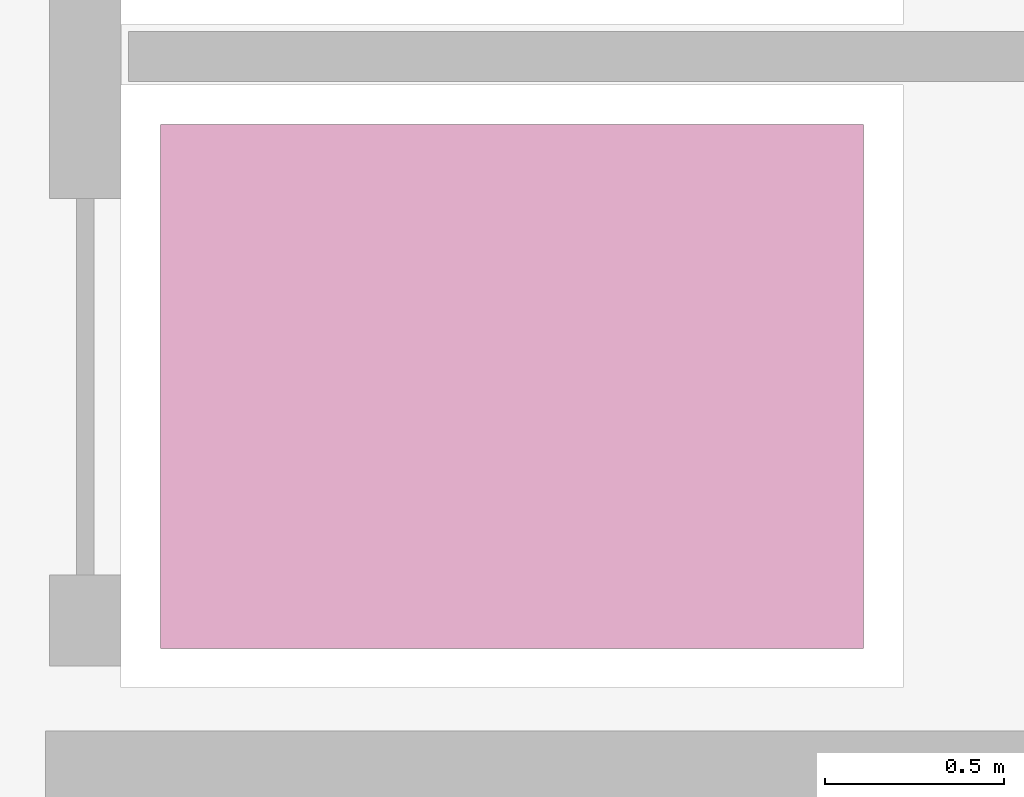
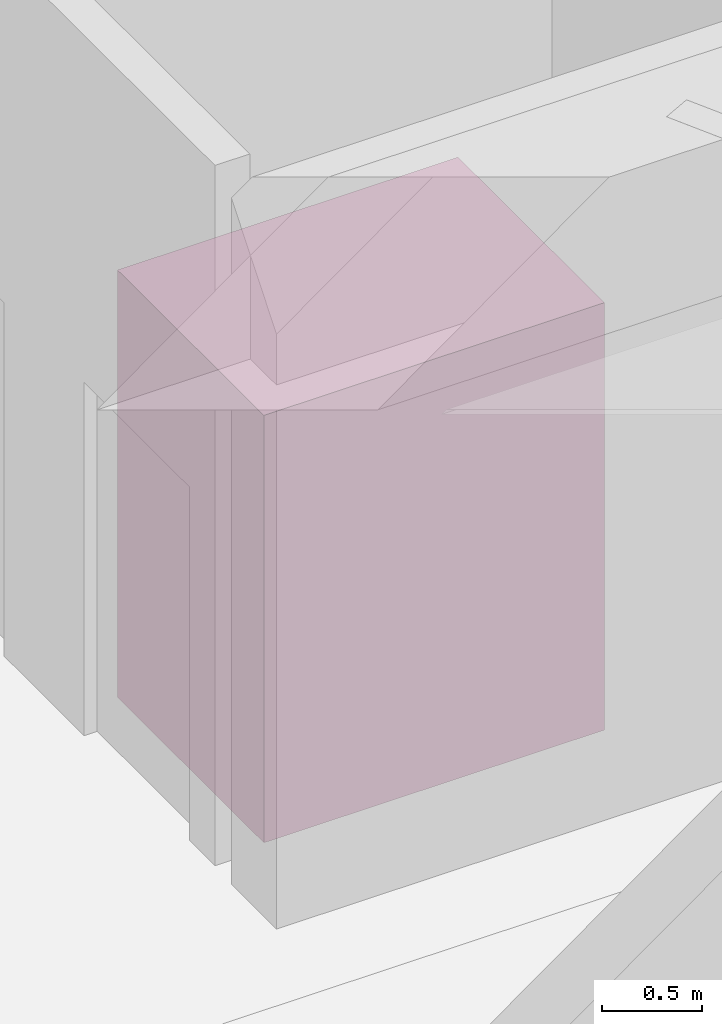
# One storey, part 14 of 14: 1 transport element.
"""IFC4 building model written with IfcOpenShell, lengths in metres."""

from ifc_helpers import new_model, si_unit, direction, frame, origin, origin_2d, place, context, subcontext, project, spatial, rectangle, extrude, material, type_object, element, save


model = new_model("IFC4")

# Units and contexts
model_context = context("Model", 3, precision=1e-05, world=origin(), true_north=direction((0.0, 1.0)))
body_context = subcontext(model_context, "Body", "Model", "MODEL_VIEW")
ifc_project = project(units=[si_unit("LENGTHUNIT", "METRE"), si_unit("AREAUNIT", "SQUARE_METRE"), si_unit("VOLUMEUNIT", "CUBIC_METRE"), si_unit("PLANEANGLEUNIT", "RADIAN"), si_unit("MASSUNIT", "GRAM", prefix="KILO")], contexts=[model_context])

# Site, building, storey
site_placement = place(None, origin())
site = spatial("IfcSite", under=ifc_project, at=site_placement, CompositionType="ELEMENT")
building_placement = place(site_placement, origin())
building = spatial("IfcBuilding", under=site, at=building_placement, Name="Oramaril Tower", CompositionType="ELEMENT")
storey_placement = place(building_placement, frame((0.0, 0.0, 107.699951171875)))
storey = spatial("IfcBuildingStorey", under=building, at=storey_placement, Name="L28", CompositionType="ELEMENT", Elevation=107.699951171875)

# Transport element
ifc_material = material(Name="Stainless Steel 316L", Category="steel")
transport_element_type = type_object("IfcTransportElementType", Name="LFT-PAX", PredefinedType="ELEVATOR", material=ifc_material)
transport_element_placement = place(storey_placement, frame((39.85009765625, 12.5, 0.0), z_axis=(0.0, 0.0, 1.0), x_axis=(1.0, 0.0, 0.0)))
element("IfcTransportElement", 1, at=transport_element_placement, inside=storey, type_object=transport_element_type, Name="Elevator Car LP-M1", PredefinedType="ELEVATOR", context=body_context, shape_type="SweptSolid", body=[
    extrude(rectangle(XDim=1.9599609375, YDim=1.4599609375, at=origin_2d()), origin(), (0.0, 0.0, 1.0), 2.60009765625),
])

save(model, "model.ifc")
